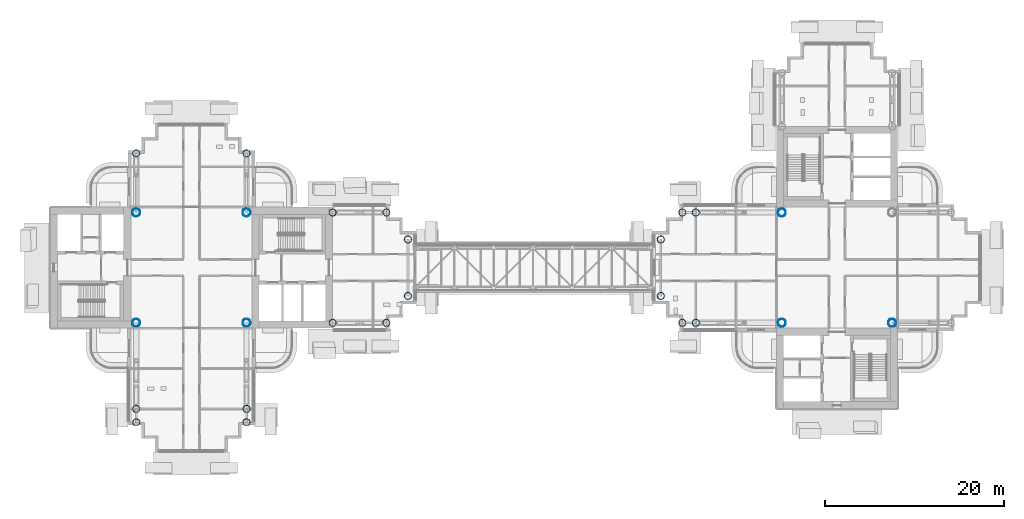
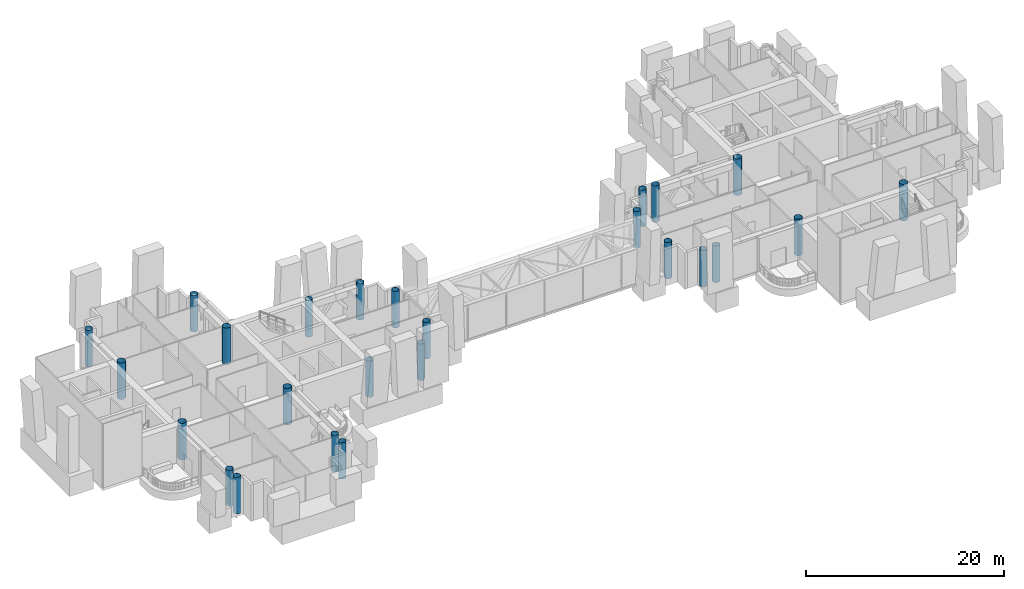
# One storey, part 1 of 26: 25 columns.
"""IFC4 building model written with IfcOpenShell, lengths in metres."""

import ifcopenshell
import ifcopenshell.guid

model = None  # the IFC model being written
_history = None  # IfcOwnerHistory: only IFC2X3 demands one
_inside = {}  # id of a spatial element -> (the spatial element, [elements in it])
_under = {}  # id of a project, library or spatial element -> (it, [spatial elements below it])
_declared = {}  # id of a project -> (the project, [libraries it declares])
_typed = {}  # id of a type object -> (the type object, [elements of that type])
_made_of = {}  # id of a material, layer set ... -> (it, [elements and type objects made of it])


def new_model(schema):
    """Start an empty IFC model of exactly this schema.

    Asked for "IFC4X3", IfcOpenShell would pick the latest addendum, in which some entities
    have other attributes; the version numbers below select the first issue.
    IFC2X3 requires an IfcOwnerHistory on every rooted entity: one is made here for all.
    """
    global model, _history
    if schema == "IFC4X3":
        model = ifcopenshell.file(schema_version=(4, 3, 0, 0))
    else:
        model = ifcopenshell.file(schema=schema)
    _inside.clear()
    _under.clear()
    _declared.clear()
    _typed.clear()
    _made_of.clear()
    _history = None
    if model.schema == "IFC2X3":
        org = make("IfcOrganization", Name="unknown")
        user = make(
            "IfcPersonAndOrganization",
            ThePerson=make("IfcPerson", FamilyName="unknown"),
            TheOrganization=org,
        )
        app = make(
            "IfcApplication",
            ApplicationDeveloper=org,
            Version="unknown",
            ApplicationFullName="unknown",
            ApplicationIdentifier="unknown",
        )
        _history = make(
            "IfcOwnerHistory",
            OwningUser=user,
            OwningApplication=app,
            ChangeAction="ADDED",
            CreationDate=0,
        )
    return model


def make(cls, **values):
    """One entity of the class cls with the attributes given. An attribute that is None is left unset."""
    return model.create_entity(
        cls, **{name: value for name, value in values.items() if value is not None}
    )


def rooted(cls, **values):
    """An entity with a GlobalId (a new one), such as an element, a storey or a relation."""
    return make(cls, GlobalId=ifcopenshell.guid.new(), OwnerHistory=_history, **values)


def si_unit(unit_type, name, prefix=None):
    """IfcSIUnit, for example si_unit("LENGTHUNIT", "METRE", prefix="MILLI")."""
    return make("IfcSIUnit", UnitType=unit_type, Prefix=prefix, Name=name)


def assignment(units):
    """IfcUnitAssignment: the units of a project."""
    return None if units is None else make("IfcUnitAssignment", Units=units)


def point(xyz):
    """IfcCartesianPoint."""
    return None if xyz is None else make("IfcCartesianPoint", Coordinates=xyz)


def direction(xyz):
    """IfcDirection."""
    return None if xyz is None else make("IfcDirection", DirectionRatios=xyz)


def frame(location, z_axis=None, x_axis=None):
    """IfcAxis2Placement3D, a coordinate frame: its origin and axes. An axis left out is left unset."""
    return make(
        "IfcAxis2Placement3D",
        Location=point(location),
        Axis=direction(z_axis),
        RefDirection=direction(x_axis),
    )


def frame_2d(location, x_axis=None):
    """IfcAxis2Placement2D, a coordinate frame in the plane: its origin and x axis."""
    return make(
        "IfcAxis2Placement2D", Location=point(location), RefDirection=direction(x_axis)
    )


def origin():
    """The frame at (0, 0, 0) with its axes left unset."""
    return frame((0.0, 0.0, 0.0))


def origin_2d():
    """The frame at (0, 0) in the plane with its x axis left unset."""
    return frame_2d((0.0, 0.0))


def place(relative_to, where):
    """IfcLocalPlacement: puts the frame where relative to a parent placement (None: the world)."""
    return make(
        "IfcLocalPlacement", PlacementRelTo=relative_to, RelativePlacement=where
    )


def context(
    kind, dimensions, precision=None, world=None, true_north=None, identifier=None
):
    """IfcGeometricRepresentationContext, for example the 3D "Model" context."""
    return make(
        "IfcGeometricRepresentationContext",
        ContextIdentifier=identifier,
        ContextType=kind,
        CoordinateSpaceDimension=dimensions,
        Precision=precision,
        WorldCoordinateSystem=world,
        TrueNorth=true_north,
    )


def subcontext(parent, identifier, kind, view, scale=None):
    """IfcGeometricRepresentationSubContext, for example "Body" below "Model"."""
    return make(
        "IfcGeometricRepresentationSubContext",
        ContextIdentifier=identifier,
        ContextType=kind,
        ParentContext=parent,
        TargetScale=scale,
        TargetView=view,
    )


def project(units=None, contexts=None):
    """IfcProject with its units and contexts."""
    return rooted(
        "IfcProject",
        Name="project",
        RepresentationContexts=contexts,
        UnitsInContext=assignment(units),
    )


def spatial(cls, under=None, at=None, **own):
    """A site, building, storey or space (cls), placed at a placement, below another one or the project."""
    s = rooted(cls, ObjectPlacement=at, **own)
    if under is not None:
        _under.setdefault(under.id(), (under, []))[1].append(s)
    return s


def profile(cls, at=None, kind="AREA", **sizes):
    """A parametric profile (cls). Its sizes go by their IFC names, for example OverallWidth=200.0."""
    return make(cls, ProfileType=kind, Position=at, **sizes)


def hollow_circle(**sizes):
    """IfcCircleHollowProfileDef."""
    return profile("IfcCircleHollowProfileDef", **sizes)


def extrude(swept, where, along, depth):
    """IfcExtrudedAreaSolid: the profile swept, set in the frame where, extruded along a direction by depth."""
    return make(
        "IfcExtrudedAreaSolid",
        SweptArea=swept,
        Position=where,
        ExtrudedDirection=direction(along),
        Depth=depth,
    )


def shape(context_of_items, identifier, shape_type, items):
    """IfcShapeRepresentation: the items that make up one representation, for example the "Body"."""
    return make(
        "IfcShapeRepresentation",
        ContextOfItems=context_of_items,
        RepresentationIdentifier=identifier,
        RepresentationType=shape_type,
        Items=items,
    )


def material(Name=None, Category=None):
    """IfcMaterial."""
    return make("IfcMaterial", Name=Name, Category=Category)


def material_profile(
    of_material, cross_section, Name=None, Category=None, Priority=None
):
    """IfcMaterialProfile: a cross section and its material."""
    return make(
        "IfcMaterialProfile",
        Name=Name,
        Material=of_material,
        Profile=cross_section,
        Priority=Priority,
        Category=Category,
    )


def profile_set(profiles, Name=None, composite=None):
    """IfcMaterialProfileSet."""
    return make(
        "IfcMaterialProfileSet",
        Name=Name,
        MaterialProfiles=profiles,
        CompositeProfile=composite,
    )


def made_of(thing, what):
    """Note that an element or type object is made of a material, layer set ...; save() writes the relation."""
    if what is not None:
        _made_of.setdefault(what.id(), (what, []))[1].append(thing)
    return thing


def type_object(cls, material=None, **own):
    """A type object (cls), such as IfcWallType, which elements share."""
    return made_of(rooted(cls, **own), material)


def element(
    cls,
    number,
    at=None,
    inside=None,
    cuts=None,
    type_object=None,
    material=None,
    context=None,
    identifier="Body",
    shape_type=None,
    held_by="IfcProductDefinitionShape",
    body=None,
    shapes=None,
    **own,
):
    """One element of the class cls, such as IfcWall. Its Tag is "e" and its number.

    at: its placement. inside: the storey or other place that contains it. cuts: it is an
    opening in that element (IfcRelVoidsElement). A single representation is given by context,
    identifier, shape_type and body (its items); several are given by shapes. held_by: the class
    of the entity that holds the representations. save() writes the other relations.
    """
    e = rooted(cls, Tag="e%d" % number, ObjectPlacement=at, **own)
    if body is not None:
        shapes = [shape(context, identifier, shape_type, body)]
    if shapes is not None:
        e.Representation = make(held_by, Representations=shapes)
    if inside is not None:
        _inside.setdefault(inside.id(), (inside, []))[1].append(e)
    if cuts is not None:
        rooted(
            "IfcRelVoidsElement", RelatingBuildingElement=cuts, RelatedOpeningElement=e
        )
    if type_object is not None:
        _typed.setdefault(type_object.id(), (type_object, []))[1].append(e)
    return made_of(e, material)


def aggregate(whole, parts):
    """IfcRelAggregates: a whole, such as a stair, and the parts it consists of."""
    return rooted("IfcRelAggregates", RelatingObject=whole, RelatedObjects=parts)


def save(model, path):
    """Write the relations noted so far, then the file.

    IfcRelAggregates (storeys below a building ...), IfcRelContainedInSpatialStructure (elements
    in a storey), IfcRelDefinesByType, IfcRelAssociatesMaterial and IfcRelDeclares: one each for
    every whole, place, type object, material and project.
    """
    for whole, parts in _under.values():
        aggregate(whole, parts)
    for where, things in _inside.values():
        rooted(
            "IfcRelContainedInSpatialStructure",
            RelatedElements=things,
            RelatingStructure=where,
        )
    for kind, things in _typed.values():
        rooted("IfcRelDefinesByType", RelatedObjects=things, RelatingType=kind)
    for what, things in _made_of.values():
        rooted("IfcRelAssociatesMaterial", RelatedObjects=things, RelatingMaterial=what)
    for by, libraries in _declared.values():
        rooted("IfcRelDeclares", RelatingContext=by, RelatedDefinitions=libraries)
    model.write(path)


model = new_model("IFC4")

# Units and contexts
model_context = context("Model", 3, precision=1e-05, world=origin(), true_north=direction((0.0, 1.0)))
body_context = subcontext(model_context, "Body", "Model", "MODEL_VIEW")
ifc_project = project(units=[si_unit("LENGTHUNIT", "METRE"), si_unit("AREAUNIT", "SQUARE_METRE"), si_unit("VOLUMEUNIT", "CUBIC_METRE"), si_unit("PLANEANGLEUNIT", "RADIAN"), si_unit("MASSUNIT", "GRAM", prefix="KILO")], contexts=[model_context])

# Site, building, storey
site_placement = place(None, origin())
site = spatial("IfcSite", under=ifc_project, at=site_placement, CompositionType="ELEMENT")
building_placement = place(site_placement, origin())
building = spatial("IfcBuilding", under=site, at=building_placement, Name="Ipe Terrace Towers", CompositionType="ELEMENT")
storey_placement = place(building_placement, frame((0.0, 0.0, 181.300048828125)))
storey = spatial("IfcBuildingStorey", under=building, at=storey_placement, Name="L50", CompositionType="ELEMENT", Elevation=181.300048828125)

# Columns
ifc_material_1 = material(Name="Steel S355 tube with Concrete C60/75 fill", Category="concrete")
ifc_material_profile_1 = material_profile(ifc_material_1, hollow_circle(Radius=0.39990234375, WallThickness=0.028076171875, at=origin_2d()), Name="CHS-800x28")
ifc_profile_set_1 = profile_set([ifc_material_profile_1], Name="Steel S355 tube with Concrete C60/75 fill")
column_type_1 = type_object("IfcColumnType", Name="CH09 COLUMN CHS-800x28", PredefinedType="COLUMN", material=ifc_profile_set_1)
for number, where, z_axis, x_axis, name in (
    (1, (-20.25, -6.14990234375, 0.0), (0.0, 0.0, 1.0), (1.0, 0.0, 0.0), "Column T1-C-A01"),
    (2, (-20.25, 6.14990234375, 0.0), (0.0, 0.0, 1.0), (1.0, 0.0, 0.0), "Column T1-C-A02"),
    (3, (-14.25, -6.14990234375, 0.0), (0.0, 0.0, 1.0), (1.0, 0.0, 0.0), "Column T1-C-A03"),
    (4, (-14.25, 6.14990234375, 0.0), (0.0, 0.0, 1.0), (1.0, 0.0, 0.0), "Column T1-C-A04"),
    (5, (-11.85009765625, -3.14990234375, 0.0), (0.0, 0.0, 1.0), (1.0, 0.0, 0.0), "Column T1-C-A05"),
    (6, (-11.85009765625, 3.14990234375, 0.0), (0.0, 0.0, 1.0), (1.0, 0.0, 0.0), "Column T1-C-A06"),
    (7, (-29.85009765625, 12.75, 0.0), (0.0, 0.0, 1.0), (1.0, 0.0, 0.0), "Column T1-C-B01"),
    (8, (-42.14990234375, 12.75, 0.0), (0.0, 0.0, 1.0), (1.0, 0.0, 0.0), "Column T1-C-B02"),
    (9, (-42.14990234375, -15.75, 0.0), (0.0, 0.0, 1.0), (1.0, 0.0, 0.0), "Column T1-C-D03"),
    (10, (-29.85009765625, -15.75, 0.0), (0.0, 0.0, 1.0), (1.0, 0.0, 0.0), "Column T1-C-D04"),
    (11, (-42.14990234375, -17.25, 0.0), (0.0, 0.0, 1.0), (1.0, 0.0, 0.0), "Column T1-C-D05"),
    (12, (-29.85009765625, -17.25, 0.0), (0.0, 0.0, 1.0), (1.0, 0.0, 0.0), "Column T1-C-D06"),
    (13, (20.25, 6.14990234375, 0.0), (0.0, 0.0, 1.0), (1.0, 0.0, 0.0), "Column T2-C-B03"),
    (14, (20.25, -6.14990234375, 0.0), (0.0, 0.0, 1.0), (1.0, 0.0, 0.0), "Column T2-C-B04"),
    (15, (18.75, 6.14990234375, 0.0), (0.0, 0.0, 1.0), (1.0, 0.0, 0.0), "Column T2-C-B05"),
    (16, (18.75, -6.14990234375, 0.0), (0.0, 0.0, 1.0), (1.0, 0.0, 0.0), "Column T2-C-B06"),
    (17, (16.35009765625, 3.14990234375, 0.0), (0.0, 0.0, 1.0), (1.0, 0.0, 0.0), "Column T2-C-B07"),
    (18, (16.35009765625, -3.14990234375, 0.0), (0.0, 0.0, 1.0), (1.0, 0.0, 0.0), "Column T2-C-B08"),
):
    element("IfcColumn", number, at=place(storey_placement, frame(where, z_axis=z_axis, x_axis=x_axis)), inside=storey, type_object=column_type_1, Name=name, PredefinedType="COLUMN", context=body_context, shape_type="SweptSolid", body=[
        extrude(hollow_circle(Radius=0.39990234375, WallThickness=0.028076171875, at=origin_2d()), origin(), (0.0, 0.0, 1.0), 4.5),
    ])
ifc_material_2 = material(Name="Steel S355 tube with Concrete C60/75 fill", Category="concrete")
ifc_material_profile_2 = material_profile(ifc_material_2, hollow_circle(Radius=0.449951171875, WallThickness=0.031982421875, at=origin_2d()), Name="CHS-900x32")
ifc_profile_set_2 = profile_set([ifc_material_profile_2], Name="Steel S355 tube with Concrete C60/75 fill")
column_type_2 = type_object("IfcColumnType", Name="CH10 COLUMN CHS-900x32", PredefinedType="COLUMN", material=ifc_profile_set_2)
for number, where, z_axis, x_axis, name in (
    (19, (-42.14990234375, -6.14990234375, 0.0), (0.0, 0.0, 1.0), (1.0, 0.0, 0.0), "Column T1-C-E01"),
    (20, (-29.85009765625, -6.14990234375, 0.0), (0.0, 0.0, 1.0), (1.0, 0.0, 0.0), "Column T1-C-E02"),
    (21, (-29.85009765625, 6.14990234375, 0.0), (0.0, 0.0, 1.0), (1.0, 0.0, 0.0), "Column T1-C-E03"),
    (22, (-42.14990234375, 6.14990234375, 0.0), (0.0, 0.0, 1.0), (1.0, 0.0, 0.0), "Column T1-C-E04"),
    (23, (42.14990234375, -6.14990234375, 0.0), (0.0, 0.0, 1.0), (1.0, 0.0, 0.0), "Column T2-C-E01"),
    (24, (29.85009765625, 6.14990234375, 0.0), (0.0, 0.0, 1.0), (1.0, 0.0, 0.0), "Column T2-C-E03"),
    (25, (29.85009765625, -6.14990234375, 0.0), (0.0, 0.0, 1.0), (1.0, 0.0, 0.0), "Column T2-C-E04"),
):
    element("IfcColumn", number, at=place(storey_placement, frame(where, z_axis=z_axis, x_axis=x_axis)), inside=storey, type_object=column_type_2, Name=name, PredefinedType="COLUMN", context=body_context, shape_type="SweptSolid", body=[
        extrude(hollow_circle(Radius=0.449951171875, WallThickness=0.031982421875, at=origin_2d()), origin(), (0.0, 0.0, 1.0), 4.5),
    ])

save(model, "model.ifc")
